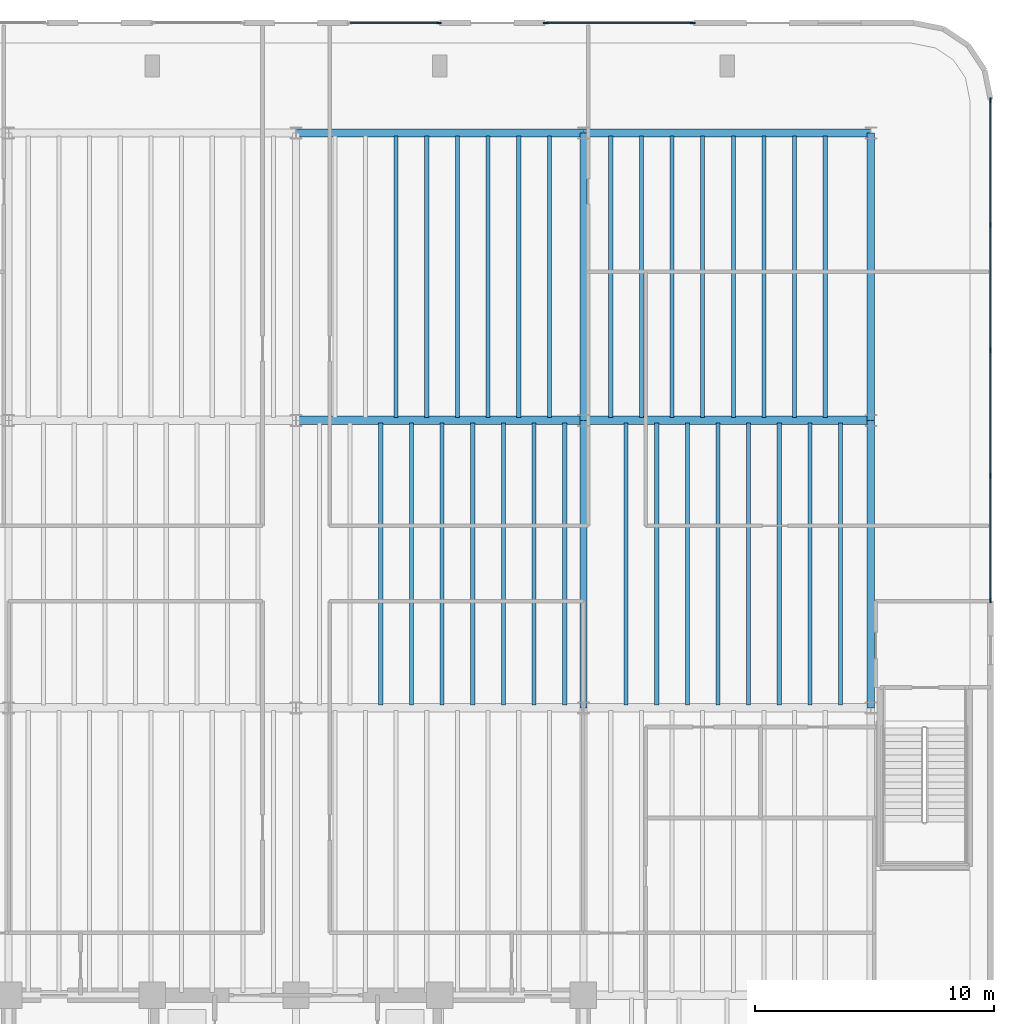
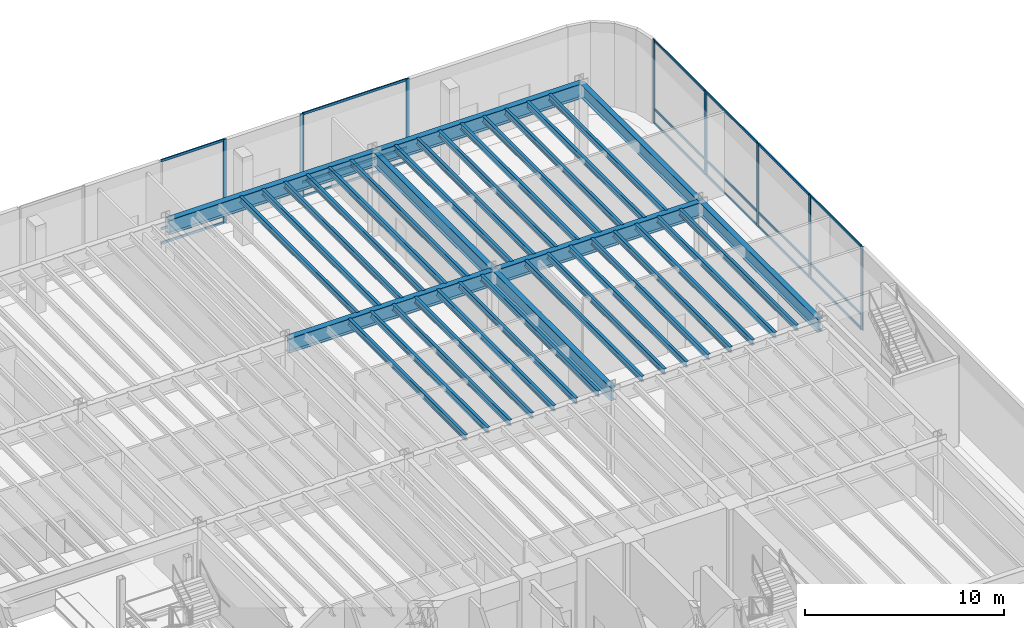
# One storey, part 5 of 17: 37 beams, 26 members, 3 elements without a shape of their own.
"""IFC4 building model written with IfcOpenShell, lengths in metres."""

from ifc_helpers import new_model, si_unit, direction, frame, origin, origin_2d, place, context, subcontext, project, spatial, rectangle, i_section, extrude, source, transform, mapped, material, layer, layer_set, material_profile, profile_set, type_object, element, aggregate, save


model = new_model("IFC4")

# Units and contexts
model_context = context("Model", 3, precision=1e-05, world=origin(), true_north=direction((0.0, 1.0)))
body_context = subcontext(model_context, "Body", "Model", "MODEL_VIEW")
ifc_project = project(units=[si_unit("LENGTHUNIT", "METRE"), si_unit("AREAUNIT", "SQUARE_METRE"), si_unit("VOLUMEUNIT", "CUBIC_METRE"), si_unit("PLANEANGLEUNIT", "RADIAN"), si_unit("MASSUNIT", "GRAM", prefix="KILO")], contexts=[model_context])

# Site, building, storey
site_placement = place(None, origin())
site = spatial("IfcSite", under=ifc_project, at=site_placement, CompositionType="ELEMENT")
building_placement = place(site_placement, origin())
building = spatial("IfcBuilding", under=site, at=building_placement, Name="Brelvock Crest Care Tower", CompositionType="ELEMENT")
storey_placement = place(building_placement, origin())
storey = spatial("IfcBuildingStorey", under=building, at=storey_placement, Name="L00", CompositionType="ELEMENT", Elevation=0.0)

# Beams
ifc_material_1 = material(Name="Steel Grade 350", Category="steel")
ifc_material_profile_1 = material_profile(ifc_material_1, i_section(OverallWidth=0.300048828125, OverallDepth=0.800048828125, WebThickness=0.013916015625, FlangeThickness=0.02197265625, at=origin_2d()), Name="800WB192")
ifc_profile_set_1 = profile_set([ifc_material_profile_1], Name="Steel Grade 350")
beam_type_1 = type_object("IfcBeamType", Name="BM-G5", PredefinedType="BEAM", material=ifc_profile_set_1)
shared_shape_1 = source(origin(), body_context, "Body", "SweptSolid", [
    extrude(i_section(OverallWidth=0.300048828125, OverallDepth=0.800048828125, WebThickness=0.013916015625, FlangeThickness=0.02197265625, at=origin_2d()), origin(), (0.0, 0.0, 1.0), 12.0),
])
for number, where, z_axis, x_axis, name in (
    (1, (48.0, 30.0, 4.719970703125), (0.0, 1.0, 0.0), (-1.0, 0.0, 0.0), "BM-PODY-L00-48-30"),
    (2, (48.0, 42.0, 4.719970703125), (0.0, 1.0, 0.0), (-1.0, 0.0, 0.0), "BM-PODY-L00-48-42"),
    (3, (60.0, 30.0, 4.719970703125), (0.0, 1.0, 0.0), (-1.0, 0.0, 0.0), "BM-PODY-L00-60-30"),
    (4, (60.0, 42.0, 4.719970703125), (0.0, 1.0, 0.0), (-1.0, 0.0, 0.0), "BM-PODY-L00-60-42"),
):
    element("IfcBeam", number, at=place(storey_placement, frame(where, z_axis=z_axis, x_axis=x_axis)), inside=storey, type_object=beam_type_1, Name=name, PredefinedType="BEAM", context=body_context, shape_type="MappedRepresentation", body=[
        mapped(shared_shape_1, transform((0.0, 0.0, 0.0), x_axis=(1.0, 0.0, 0.0), y_axis=(0.0, 1.0, 0.0), z_axis=(0.0, 0.0, 1.0), scale=1.0)),
    ])
ifc_material_profile_2 = material_profile(ifc_material_1, i_section(OverallWidth=0.35009765625, OverallDepth=0.89990234375, WebThickness=0.01611328125, FlangeThickness=0.028076171875, at=origin_2d()), Name="900WB257")
ifc_profile_set_2 = profile_set([ifc_material_profile_2], Name="Steel Grade 350")
beam_type_2 = type_object("IfcBeamType", Name="BM-G6", PredefinedType="BEAM", material=ifc_profile_set_2)
shared_shape_2 = source(origin(), body_context, "Body", "SweptSolid", [
    extrude(i_section(OverallWidth=0.35009765625, OverallDepth=0.89990234375, WebThickness=0.01611328125, FlangeThickness=0.028076171875, at=origin_2d()), origin(), (0.0, 0.0, 1.0), 12.0),
])
for number, where, z_axis, x_axis, name in (
    (5, (36.0, 42.0, 4.669921875), (1.0, 0.0, 0.0), (0.0, 1.0, 0.0), "BM-PODX-L00-42-36"),
    (6, (48.0, 42.0, 4.669921875), (1.0, 0.0, 0.0), (0.0, 1.0, 0.0), "BM-PODX-L00-42-48"),
    (7, (36.0, 54.0, 4.669921875), (1.0, 0.0, 0.0), (0.0, 1.0, 0.0), "BM-PODX-L00-54-36"),
    (8, (48.0, 54.0, 4.669921875), (1.0, 0.0, 0.0), (0.0, 1.0, 0.0), "BM-PODX-L00-54-48"),
):
    element("IfcBeam", number, at=place(storey_placement, frame(where, z_axis=z_axis, x_axis=x_axis)), inside=storey, type_object=beam_type_2, Name=name, PredefinedType="BEAM", context=body_context, shape_type="MappedRepresentation", body=[
        mapped(shared_shape_2, transform((0.0, 0.0, 0.0), x_axis=(1.0, 0.0, 0.0), y_axis=(0.0, 1.0, 0.0), z_axis=(0.0, 0.0, 1.0), scale=1.0)),
    ])
ifc_material_profile_3 = material_profile(ifc_material_1, i_section(OverallWidth=0.172119140625, OverallDepth=0.35888671875, WebThickness=0.008056640625, FlangeThickness=0.012939453125, FilletRadius=0.011474609375, at=origin_2d()), Name="360UB56.7")
ifc_profile_set_3 = profile_set([ifc_material_profile_3], Name="Steel Grade 350")
beam_type_3 = type_object("IfcBeamType", Name="BM-J1", PredefinedType="JOIST", material=ifc_profile_set_3)
shared_shape_3 = source(origin(), body_context, "Body", "SweptSolid", [
    extrude(i_section(OverallWidth=0.172119140625, OverallDepth=0.35888671875, WebThickness=0.008056640625, FlangeThickness=0.012939453125, FilletRadius=0.011474609375, at=origin_2d()), origin(), (0.0, 0.0, 1.0), 11.77001953125),
])
for number, where, z_axis, x_axis, name in (
    (9, (39.5400390625, 30.114990234375, 4.9404296875), (0.0, 1.0, 0.0), (-1.0, 0.0, 0.0), "BM-PODJ-L00-3954-30"),
    (10, (40.820068359375, 30.114990234375, 4.9404296875), (0.0, 1.0, 0.0), (-1.0, 0.0, 0.0), "BM-PODJ-L00-4082-30"),
    (11, (40.179931640625, 42.114990234375, 4.9404296875), (0.0, 1.0, 0.0), (-1.0, 0.0, 0.0), "BM-PODJ-L00-4018-42"),
    (12, (42.10009765625, 30.114990234375, 4.9404296875), (0.0, 1.0, 0.0), (-1.0, 0.0, 0.0), "BM-PODJ-L00-4210-30"),
    (13, (41.4599609375, 42.114990234375, 4.9404296875), (0.0, 1.0, 0.0), (-1.0, 0.0, 0.0), "BM-PODJ-L00-4146-42"),
    (14, (43.3798828125, 30.114990234375, 4.9404296875), (0.0, 1.0, 0.0), (-1.0, 0.0, 0.0), "BM-PODJ-L00-4338-30"),
    (15, (42.739990234375, 42.114990234375, 4.9404296875), (0.0, 1.0, 0.0), (-1.0, 0.0, 0.0), "BM-PODJ-L00-4274-42"),
    (16, (44.659912109375, 30.114990234375, 4.9404296875), (0.0, 1.0, 0.0), (-1.0, 0.0, 0.0), "BM-PODJ-L00-4466-30"),
    (17, (44.02001953125, 42.114990234375, 4.9404296875), (0.0, 1.0, 0.0), (-1.0, 0.0, 0.0), "BM-PODJ-L00-4402-42"),
    (18, (45.93994140625, 30.114990234375, 4.9404296875), (0.0, 1.0, 0.0), (-1.0, 0.0, 0.0), "BM-PODJ-L00-4594-30"),
    (19, (45.300048828125, 42.114990234375, 4.9404296875), (0.0, 1.0, 0.0), (-1.0, 0.0, 0.0), "BM-PODJ-L00-4530-42"),
    (20, (47.219970703125, 30.114990234375, 4.9404296875), (0.0, 1.0, 0.0), (-1.0, 0.0, 0.0), "BM-PODJ-L00-4722-30"),
    (21, (46.580078125, 42.114990234375, 4.9404296875), (0.0, 1.0, 0.0), (-1.0, 0.0, 0.0), "BM-PODJ-L00-4658-42"),
    (22, (49.780029296875, 30.114990234375, 4.9404296875), (0.0, 1.0, 0.0), (-1.0, 0.0, 0.0), "BM-PODJ-L00-4978-30"),
    (23, (49.139892578125, 42.114990234375, 4.9404296875), (0.0, 1.0, 0.0), (-1.0, 0.0, 0.0), "BM-PODJ-L00-4914-42"),
    (24, (51.06005859375, 30.114990234375, 4.9404296875), (0.0, 1.0, 0.0), (-1.0, 0.0, 0.0), "BM-PODJ-L00-5106-30"),
    (25, (50.419921875, 42.114990234375, 4.9404296875), (0.0, 1.0, 0.0), (-1.0, 0.0, 0.0), "BM-PODJ-L00-5042-42"),
    (26, (52.340087890625, 30.114990234375, 4.9404296875), (0.0, 1.0, 0.0), (-1.0, 0.0, 0.0), "BM-PODJ-L00-5234-30"),
    (27, (51.699951171875, 42.114990234375, 4.9404296875), (0.0, 1.0, 0.0), (-1.0, 0.0, 0.0), "BM-PODJ-L00-5170-42"),
    (28, (53.6201171875, 30.114990234375, 4.9404296875), (0.0, 1.0, 0.0), (-1.0, 0.0, 0.0), "BM-PODJ-L00-5362-30"),
    (29, (52.97998046875, 42.114990234375, 4.9404296875), (0.0, 1.0, 0.0), (-1.0, 0.0, 0.0), "BM-PODJ-L00-5298-42"),
    (30, (54.89990234375, 30.114990234375, 4.9404296875), (0.0, 1.0, 0.0), (-1.0, 0.0, 0.0), "BM-PODJ-L00-5490-30"),
    (31, (54.260009765625, 42.114990234375, 4.9404296875), (0.0, 1.0, 0.0), (-1.0, 0.0, 0.0), "BM-PODJ-L00-5426-42"),
    (32, (56.179931640625, 30.114990234375, 4.9404296875), (0.0, 1.0, 0.0), (-1.0, 0.0, 0.0), "BM-PODJ-L00-5618-30"),
    (33, (55.5400390625, 42.114990234375, 4.9404296875), (0.0, 1.0, 0.0), (-1.0, 0.0, 0.0), "BM-PODJ-L00-5554-42"),
    (34, (57.4599609375, 30.114990234375, 4.9404296875), (0.0, 1.0, 0.0), (-1.0, 0.0, 0.0), "BM-PODJ-L00-5746-30"),
    (35, (56.820068359375, 42.114990234375, 4.9404296875), (0.0, 1.0, 0.0), (-1.0, 0.0, 0.0), "BM-PODJ-L00-5682-42"),
    (36, (58.739990234375, 30.114990234375, 4.9404296875), (0.0, 1.0, 0.0), (-1.0, 0.0, 0.0), "BM-PODJ-L00-5874-30"),
    (37, (58.10009765625, 42.114990234375, 4.9404296875), (0.0, 1.0, 0.0), (-1.0, 0.0, 0.0), "BM-PODJ-L00-5810-42"),
):
    element("IfcBeam", number, at=place(storey_placement, frame(where, z_axis=z_axis, x_axis=x_axis)), inside=storey, type_object=beam_type_3, Name=name, PredefinedType="JOIST", context=body_context, shape_type="MappedRepresentation", body=[
        mapped(shared_shape_3, transform((0.0, 0.0, 0.0), x_axis=(1.0, 0.0, 0.0), y_axis=(0.0, 1.0, 0.0), z_axis=(0.0, 0.0, 1.0), scale=1.0)),
    ])

# Curtain wall, member
ifc_material_2 = material(Name="Dark Glass Double Glazed Low-E", Category="glass")
ifc_layer = layer(ifc_material_2, 0.179931640625, Name="CWS-1")
ifc_layer_set = layer_set([ifc_layer], Name="Dark Glass Double Glazed Low-E")
curtain_wall_type = type_object("IfcCurtainWallType", Name="CWS-1", PredefinedType="NOTDEFINED", material=ifc_layer_set)
curtain_wall_1_placement = place(storey_placement, origin())
curtain_wall_1 = element("IfcCurtainWall", 38, at=curtain_wall_1_placement, inside=storey, type_object=curtain_wall_type, Name="L00 Curtain Wall NCW2B", PredefinedType="NOTDEFINED")
ifc_material_3 = material(Name="Aluminium 6063-T6", Category="aluminium")
ifc_material_profile_4 = material_profile(ifc_material_3, rectangle(XDim=0.06494140625, YDim=0.199951171875, at=origin_2d()), Name="ALU65x200")
ifc_profile_set_4 = profile_set([ifc_material_profile_4], Name="Aluminium 6063-T6")
member_type_1 = type_object("IfcMemberType", Name="CWM-1", PredefinedType="MULLION", material=ifc_profile_set_4)
shared_shape_4 = source(origin(), body_context, "Body", "SweptSolid", [
    extrude(rectangle(XDim=0.06494140625, YDim=0.199951171875, at=origin_2d()), origin(), (0.0, 0.0, 1.0), 5.1201171875),
])
member_1_placement = place(storey_placement, frame((41.967529296875, 58.60009765625, 0.0), z_axis=(0.0, 0.0, 1.0), x_axis=(0.0, 1.0, 0.0)))
member_1 = element("IfcMember", 39, at=member_1_placement, type_object=member_type_1, Name="CW-1 mullion 2", PredefinedType="MULLION", context=body_context, shape_type="MappedRepresentation", body=[
    mapped(shared_shape_4, transform((0.0, 0.0, 0.0), x_axis=(1.0, 0.0, 0.0), y_axis=(0.0, 1.0, 0.0), z_axis=(0.0, 0.0, 1.0), scale=1.0)),
])

# Curtain wall, members
curtain_wall_2_placement = place(storey_placement, origin())
curtain_wall_2 = element("IfcCurtainWall", 40, at=curtain_wall_2_placement, inside=storey, type_object=curtain_wall_type, Name="L00 Curtain Wall NCW3", PredefinedType="NOTDEFINED")
member_2_placement = place(storey_placement, frame((46.4326171875, 58.60009765625, 0.0), z_axis=(0.0, 0.0, 1.0), x_axis=(0.0, 1.0, 0.0)))
member_2 = element("IfcMember", 41, at=member_2_placement, type_object=member_type_1, Name="CW-1 mullion 1", PredefinedType="MULLION", context=body_context, shape_type="MappedRepresentation", body=[
    mapped(shared_shape_4, transform((0.0, 0.0, 0.0), x_axis=(1.0, 0.0, 0.0), y_axis=(0.0, 1.0, 0.0), z_axis=(0.0, 0.0, 1.0), scale=1.0)),
])
member_3_placement = place(storey_placement, frame((52.5673828125, 58.60009765625, 0.0), z_axis=(0.0, 0.0, 1.0), x_axis=(0.0, 1.0, 0.0)))
member_3 = element("IfcMember", 42, at=member_3_placement, type_object=member_type_1, Name="CW-1 mullion 2", PredefinedType="MULLION", context=body_context, shape_type="MappedRepresentation", body=[
    mapped(shared_shape_4, transform((0.0, 0.0, 0.0), x_axis=(1.0, 0.0, 0.0), y_axis=(0.0, 1.0, 0.0), z_axis=(0.0, 0.0, 1.0), scale=1.0)),
])

curtain_wall_3_placement = place(storey_placement, origin())
curtain_wall_3 = element("IfcCurtainWall", 43, at=curtain_wall_3_placement, inside=storey, type_object=curtain_wall_type, Name="L00 Curtain Wall EN", PredefinedType="NOTDEFINED")
member_4_placement = place(storey_placement, frame((65.0, 55.367431640625, 0.0), z_axis=(0.0, 0.0, 1.0), x_axis=(1.0, 0.0, 0.0)))
member_4 = element("IfcMember", 44, at=member_4_placement, type_object=member_type_1, Name="CW-1 mullion 1", PredefinedType="MULLION", context=body_context, shape_type="MappedRepresentation", body=[
    mapped(shared_shape_4, transform((0.0, 0.0, 0.0), x_axis=(1.0, 0.0, 0.0), y_axis=(0.0, 1.0, 0.0), z_axis=(0.0, 0.0, 1.0), scale=1.0)),
])
member_5_placement = place(storey_placement, frame((65.0, 50.16259765625, 0.0), z_axis=(0.0, 0.0, 1.0), x_axis=(1.0, 0.0, 0.0)))
member_5 = element("IfcMember", 45, at=member_5_placement, type_object=member_type_1, Name="CW-1 mullion 2", PredefinedType="MULLION", context=body_context, shape_type="MappedRepresentation", body=[
    mapped(shared_shape_4, transform((0.0, 0.0, 0.0), x_axis=(1.0, 0.0, 0.0), y_axis=(0.0, 1.0, 0.0), z_axis=(0.0, 0.0, 1.0), scale=1.0)),
])
member_6_placement = place(storey_placement, frame((65.0, 44.925048828125, 0.0), z_axis=(0.0, 0.0, 1.0), x_axis=(1.0, 0.0, 0.0)))
member_6 = element("IfcMember", 46, at=member_6_placement, type_object=member_type_1, Name="CW-1 mullion 3", PredefinedType="MULLION", context=body_context, shape_type="MappedRepresentation", body=[
    mapped(shared_shape_4, transform((0.0, 0.0, 0.0), x_axis=(1.0, 0.0, 0.0), y_axis=(0.0, 1.0, 0.0), z_axis=(0.0, 0.0, 1.0), scale=1.0)),
])
member_7_placement = place(storey_placement, frame((65.0, 39.6875, 0.0), z_axis=(0.0, 0.0, 1.0), x_axis=(1.0, 0.0, 0.0)))
member_7 = element("IfcMember", 47, at=member_7_placement, type_object=member_type_1, Name="CW-1 mullion 4", PredefinedType="MULLION", context=body_context, shape_type="MappedRepresentation", body=[
    mapped(shared_shape_4, transform((0.0, 0.0, 0.0), x_axis=(1.0, 0.0, 0.0), y_axis=(0.0, 1.0, 0.0), z_axis=(0.0, 0.0, 1.0), scale=1.0)),
])
member_8_placement = place(storey_placement, frame((65.0, 34.482421875, 0.0), z_axis=(0.0, 0.0, 1.0), x_axis=(1.0, 0.0, 0.0)))
member_8 = element("IfcMember", 48, at=member_8_placement, type_object=member_type_1, Name="CW-1 mullion 5", PredefinedType="MULLION", context=body_context, shape_type="MappedRepresentation", body=[
    mapped(shared_shape_4, transform((0.0, 0.0, 0.0), x_axis=(1.0, 0.0, 0.0), y_axis=(0.0, 1.0, 0.0), z_axis=(0.0, 0.0, 1.0), scale=1.0)),
])
ifc_material_profile_5 = material_profile(ifc_material_3, rectangle(XDim=0.06494140625, YDim=0.14990234375, at=origin_2d()), Name="ALU65x150")
ifc_profile_set_5 = profile_set([ifc_material_profile_5], Name="Aluminium 6063-T6")
member_type_2 = type_object("IfcMemberType", Name="CWT-1", PredefinedType="USERDEFINED", material=ifc_profile_set_5)
shared_shape_5 = source(origin(), body_context, "Body", "SweptSolid", [
    extrude(rectangle(XDim=0.06494140625, YDim=0.14990234375, at=origin_2d()), origin(), (0.0, 0.0, 1.0), 5.14013671875),
])
member_9_placement = place(storey_placement, frame((65.0, 39.655029296875, 0.032470703125), z_axis=(0.0, -1.0, 0.0), x_axis=(1.0, 0.0, 0.0)))
member_9 = element("IfcMember", 49, at=member_9_placement, type_object=member_type_2, Name="CW-1 transom 4.1", ObjectType="TRANSOM", PredefinedType="USERDEFINED", context=body_context, shape_type="MappedRepresentation", body=[
    mapped(shared_shape_5, transform((0.0, 0.0, 0.0), x_axis=(1.0, 0.0, 0.0), y_axis=(0.0, 1.0, 0.0), z_axis=(0.0, 0.0, 1.0), scale=1.0)),
])
member_10_placement = place(storey_placement, frame((65.0, 39.655029296875, 0.89990234375), z_axis=(0.0, -1.0, 0.0), x_axis=(1.0, 0.0, 0.0)))
member_10 = element("IfcMember", 50, at=member_10_placement, type_object=member_type_2, Name="CW-1 transom 4.2", ObjectType="TRANSOM", PredefinedType="USERDEFINED", context=body_context, shape_type="MappedRepresentation", body=[
    mapped(shared_shape_5, transform((0.0, 0.0, 0.0), x_axis=(1.0, 0.0, 0.0), y_axis=(0.0, 1.0, 0.0), z_axis=(0.0, 0.0, 1.0), scale=1.0)),
])
member_11_placement = place(storey_placement, frame((65.0, 39.655029296875, 5.08740234375), z_axis=(0.0, -1.0, 0.0), x_axis=(1.0, 0.0, 0.0)))
member_11 = element("IfcMember", 51, at=member_11_placement, type_object=member_type_2, Name="CW-1 transom 4.3", ObjectType="TRANSOM", PredefinedType="USERDEFINED", context=body_context, shape_type="MappedRepresentation", body=[
    mapped(shared_shape_5, transform((0.0, 0.0, 0.0), x_axis=(1.0, 0.0, 0.0), y_axis=(0.0, 1.0, 0.0), z_axis=(0.0, 0.0, 1.0), scale=1.0)),
])
shared_shape_6 = source(origin(), body_context, "Body", "SweptSolid", [
    extrude(rectangle(XDim=0.06494140625, YDim=0.14990234375, at=origin_2d()), origin(), (0.0, 0.0, 1.0), 5.172607421875),
])
member_12_placement = place(storey_placement, frame((65.0, 44.892578125, 0.032470703125), z_axis=(0.0, -1.0, 0.0), x_axis=(1.0, 0.0, 0.0)))
member_12 = element("IfcMember", 52, at=member_12_placement, type_object=member_type_2, Name="CW-1 transom 3.1", ObjectType="TRANSOM", PredefinedType="USERDEFINED", context=body_context, shape_type="MappedRepresentation", body=[
    mapped(shared_shape_6, transform((0.0, 0.0, 0.0), x_axis=(1.0, 0.0, 0.0), y_axis=(0.0, 1.0, 0.0), z_axis=(0.0, 0.0, 1.0), scale=1.0)),
])
member_13_placement = place(storey_placement, frame((65.0, 44.892578125, 0.89990234375), z_axis=(0.0, -1.0, 0.0), x_axis=(1.0, 0.0, 0.0)))
member_13 = element("IfcMember", 53, at=member_13_placement, type_object=member_type_2, Name="CW-1 transom 3.2", ObjectType="TRANSOM", PredefinedType="USERDEFINED", context=body_context, shape_type="MappedRepresentation", body=[
    mapped(shared_shape_6, transform((0.0, 0.0, 0.0), x_axis=(1.0, 0.0, 0.0), y_axis=(0.0, 1.0, 0.0), z_axis=(0.0, 0.0, 1.0), scale=1.0)),
])
member_14_placement = place(storey_placement, frame((65.0, 44.892578125, 5.08740234375), z_axis=(0.0, -1.0, 0.0), x_axis=(1.0, 0.0, 0.0)))
member_14 = element("IfcMember", 54, at=member_14_placement, type_object=member_type_2, Name="CW-1 transom 3.3", ObjectType="TRANSOM", PredefinedType="USERDEFINED", context=body_context, shape_type="MappedRepresentation", body=[
    mapped(shared_shape_6, transform((0.0, 0.0, 0.0), x_axis=(1.0, 0.0, 0.0), y_axis=(0.0, 1.0, 0.0), z_axis=(0.0, 0.0, 1.0), scale=1.0)),
])
shared_shape_7 = source(origin(), body_context, "Body", "SweptSolid", [
    extrude(rectangle(XDim=0.06494140625, YDim=0.14990234375, at=origin_2d()), origin(), (0.0, 0.0, 1.0), 5.17236328125),
])
member_15_placement = place(storey_placement, frame((65.0, 50.1298828125, 0.032470703125), z_axis=(0.0, -1.0, 0.0), x_axis=(1.0, 0.0, 0.0)))
member_15 = element("IfcMember", 55, at=member_15_placement, type_object=member_type_2, Name="CW-1 transom 2.1", ObjectType="TRANSOM", PredefinedType="USERDEFINED", context=body_context, shape_type="MappedRepresentation", body=[
    mapped(shared_shape_7, transform((0.0, 0.0, 0.0), x_axis=(1.0, 0.0, 0.0), y_axis=(0.0, 1.0, 0.0), z_axis=(0.0, 0.0, 1.0), scale=1.0)),
])
member_16_placement = place(storey_placement, frame((65.0, 50.1298828125, 0.89990234375), z_axis=(0.0, -1.0, 0.0), x_axis=(1.0, 0.0, 0.0)))
member_16 = element("IfcMember", 56, at=member_16_placement, type_object=member_type_2, Name="CW-1 transom 2.2", ObjectType="TRANSOM", PredefinedType="USERDEFINED", context=body_context, shape_type="MappedRepresentation", body=[
    mapped(shared_shape_7, transform((0.0, 0.0, 0.0), x_axis=(1.0, 0.0, 0.0), y_axis=(0.0, 1.0, 0.0), z_axis=(0.0, 0.0, 1.0), scale=1.0)),
])
member_17_placement = place(storey_placement, frame((65.0, 50.1298828125, 5.08740234375), z_axis=(0.0, -1.0, 0.0), x_axis=(1.0, 0.0, 0.0)))
member_17 = element("IfcMember", 57, at=member_17_placement, type_object=member_type_2, Name="CW-1 transom 2.3", ObjectType="TRANSOM", PredefinedType="USERDEFINED", context=body_context, shape_type="MappedRepresentation", body=[
    mapped(shared_shape_7, transform((0.0, 0.0, 0.0), x_axis=(1.0, 0.0, 0.0), y_axis=(0.0, 1.0, 0.0), z_axis=(0.0, 0.0, 1.0), scale=1.0)),
])
shared_shape_8 = source(origin(), body_context, "Body", "SweptSolid", [
    extrude(rectangle(XDim=0.06494140625, YDim=0.14990234375, at=origin_2d()), origin(), (0.0, 0.0, 1.0), 5.139892578125),
])
member_18_placement = place(storey_placement, frame((65.0, 55.3349609375, 0.032470703125), z_axis=(0.0, -1.0, 0.0), x_axis=(1.0, 0.0, 0.0)))
member_18 = element("IfcMember", 58, at=member_18_placement, type_object=member_type_2, Name="CW-1 transom 1.1", ObjectType="TRANSOM", PredefinedType="USERDEFINED", context=body_context, shape_type="MappedRepresentation", body=[
    mapped(shared_shape_8, transform((0.0, 0.0, 0.0), x_axis=(1.0, 0.0, 0.0), y_axis=(0.0, 1.0, 0.0), z_axis=(0.0, 0.0, 1.0), scale=1.0)),
])
member_19_placement = place(storey_placement, frame((65.0, 55.3349609375, 0.89990234375), z_axis=(0.0, -1.0, 0.0), x_axis=(1.0, 0.0, 0.0)))
member_19 = element("IfcMember", 59, at=member_19_placement, type_object=member_type_2, Name="CW-1 transom 1.2", ObjectType="TRANSOM", PredefinedType="USERDEFINED", context=body_context, shape_type="MappedRepresentation", body=[
    mapped(shared_shape_8, transform((0.0, 0.0, 0.0), x_axis=(1.0, 0.0, 0.0), y_axis=(0.0, 1.0, 0.0), z_axis=(0.0, 0.0, 1.0), scale=1.0)),
])
member_20_placement = place(storey_placement, frame((65.0, 55.3349609375, 5.08740234375), z_axis=(0.0, -1.0, 0.0), x_axis=(1.0, 0.0, 0.0)))
member_20 = element("IfcMember", 60, at=member_20_placement, type_object=member_type_2, Name="CW-1 transom 1.3", ObjectType="TRANSOM", PredefinedType="USERDEFINED", context=body_context, shape_type="MappedRepresentation", body=[
    mapped(shared_shape_8, transform((0.0, 0.0, 0.0), x_axis=(1.0, 0.0, 0.0), y_axis=(0.0, 1.0, 0.0), z_axis=(0.0, 0.0, 1.0), scale=1.0)),
])
aggregate(curtain_wall_3, [member_4, member_5, member_6, member_7, member_8, member_18, member_19, member_20, member_15, member_16, member_17, member_12, member_13, member_14, member_9, member_10, member_11])

# Member
shared_shape_9 = source(origin(), body_context, "Body", "SweptSolid", [
    extrude(rectangle(XDim=0.06494140625, YDim=0.14990234375, at=origin_2d()), origin(), (0.0, 0.0, 1.0), 6.06982421875),
])
member_21_placement = place(storey_placement, frame((46.465087890625, 58.60009765625, 0.032470703125), z_axis=(1.0, 0.0, 0.0), x_axis=(0.0, 1.0, 0.0)))
member_21 = element("IfcMember", 61, at=member_21_placement, type_object=member_type_2, Name="CW-1 transom 1.1", ObjectType="TRANSOM", PredefinedType="USERDEFINED", context=body_context, shape_type="MappedRepresentation", body=[
    mapped(shared_shape_9, transform((0.0, 0.0, 0.0), x_axis=(1.0, 0.0, 0.0), y_axis=(0.0, 1.0, 0.0), z_axis=(0.0, 0.0, 1.0), scale=1.0)),
])

member_22_placement = place(storey_placement, frame((46.465087890625, 58.60009765625, 0.89990234375), z_axis=(1.0, 0.0, 0.0), x_axis=(0.0, 1.0, 0.0)))
member_22 = element("IfcMember", 62, at=member_22_placement, type_object=member_type_2, Name="CW-1 transom 1.2", ObjectType="TRANSOM", PredefinedType="USERDEFINED", context=body_context, shape_type="MappedRepresentation", body=[
    mapped(shared_shape_9, transform((0.0, 0.0, 0.0), x_axis=(1.0, 0.0, 0.0), y_axis=(0.0, 1.0, 0.0), z_axis=(0.0, 0.0, 1.0), scale=1.0)),
])

member_23_placement = place(storey_placement, frame((46.465087890625, 58.60009765625, 5.08740234375), z_axis=(1.0, 0.0, 0.0), x_axis=(0.0, 1.0, 0.0)))
member_23 = element("IfcMember", 63, at=member_23_placement, type_object=member_type_2, Name="CW-1 transom 1.3", ObjectType="TRANSOM", PredefinedType="USERDEFINED", context=body_context, shape_type="MappedRepresentation", body=[
    mapped(shared_shape_9, transform((0.0, 0.0, 0.0), x_axis=(1.0, 0.0, 0.0), y_axis=(0.0, 1.0, 0.0), z_axis=(0.0, 0.0, 1.0), scale=1.0)),
])

aggregate(curtain_wall_2, [member_2, member_3, member_21, member_22, member_23])

shared_shape_10 = source(origin(), body_context, "Body", "SweptSolid", [
    extrude(rectangle(XDim=0.06494140625, YDim=0.14990234375, at=origin_2d()), origin(), (0.0, 0.0, 1.0), 3.670166015625),
])
member_24_placement = place(storey_placement, frame((38.264892578125, 58.60009765625, 0.032470703125), z_axis=(1.0, 0.0, 0.0), x_axis=(0.0, 1.0, 0.0)))
member_24 = element("IfcMember", 64, at=member_24_placement, type_object=member_type_2, Name="CW-1 transom 1.1", ObjectType="TRANSOM", PredefinedType="USERDEFINED", context=body_context, shape_type="MappedRepresentation", body=[
    mapped(shared_shape_10, transform((0.0, 0.0, 0.0), x_axis=(1.0, 0.0, 0.0), y_axis=(0.0, 1.0, 0.0), z_axis=(0.0, 0.0, 1.0), scale=1.0)),
])

member_25_placement = place(storey_placement, frame((38.264892578125, 58.60009765625, 0.89990234375), z_axis=(1.0, 0.0, 0.0), x_axis=(0.0, 1.0, 0.0)))
member_25 = element("IfcMember", 65, at=member_25_placement, type_object=member_type_2, Name="CW-1 transom 1.2", ObjectType="TRANSOM", PredefinedType="USERDEFINED", context=body_context, shape_type="MappedRepresentation", body=[
    mapped(shared_shape_10, transform((0.0, 0.0, 0.0), x_axis=(1.0, 0.0, 0.0), y_axis=(0.0, 1.0, 0.0), z_axis=(0.0, 0.0, 1.0), scale=1.0)),
])

member_26_placement = place(storey_placement, frame((38.264892578125, 58.60009765625, 5.08740234375), z_axis=(1.0, 0.0, 0.0), x_axis=(0.0, 1.0, 0.0)))
member_26 = element("IfcMember", 66, at=member_26_placement, type_object=member_type_2, Name="CW-1 transom 1.3", ObjectType="TRANSOM", PredefinedType="USERDEFINED", context=body_context, shape_type="MappedRepresentation", body=[
    mapped(shared_shape_10, transform((0.0, 0.0, 0.0), x_axis=(1.0, 0.0, 0.0), y_axis=(0.0, 1.0, 0.0), z_axis=(0.0, 0.0, 1.0), scale=1.0)),
])

aggregate(curtain_wall_1, [member_1, member_24, member_25, member_26])

save(model, "model.ifc")
